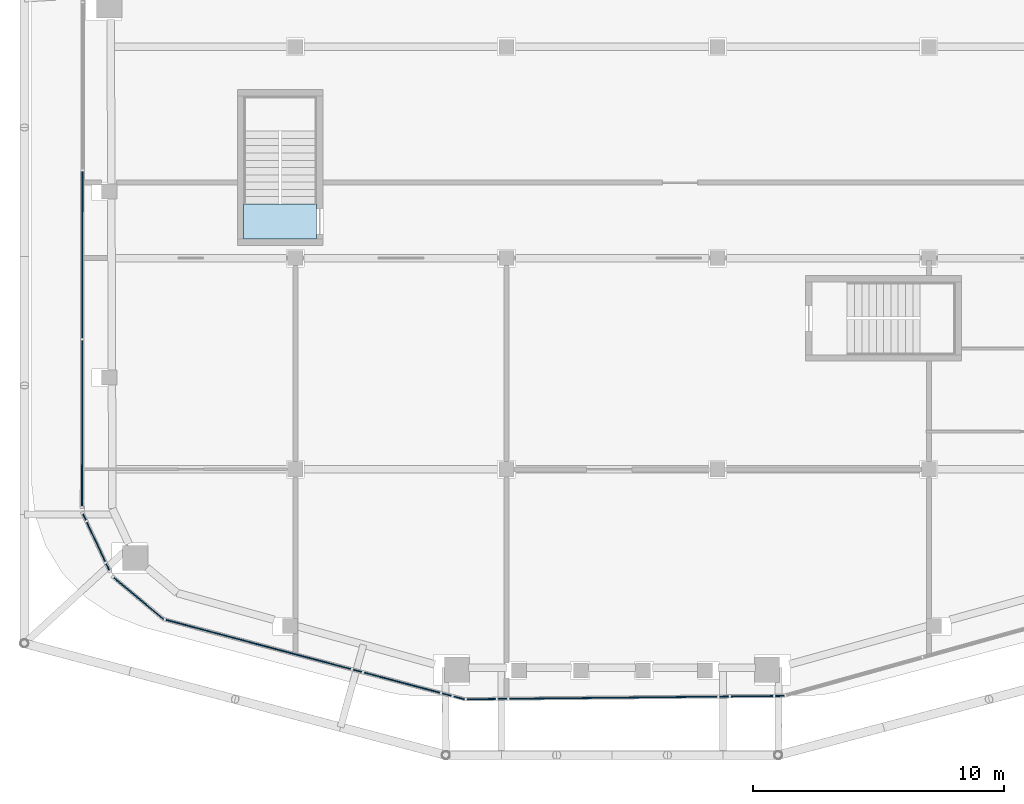
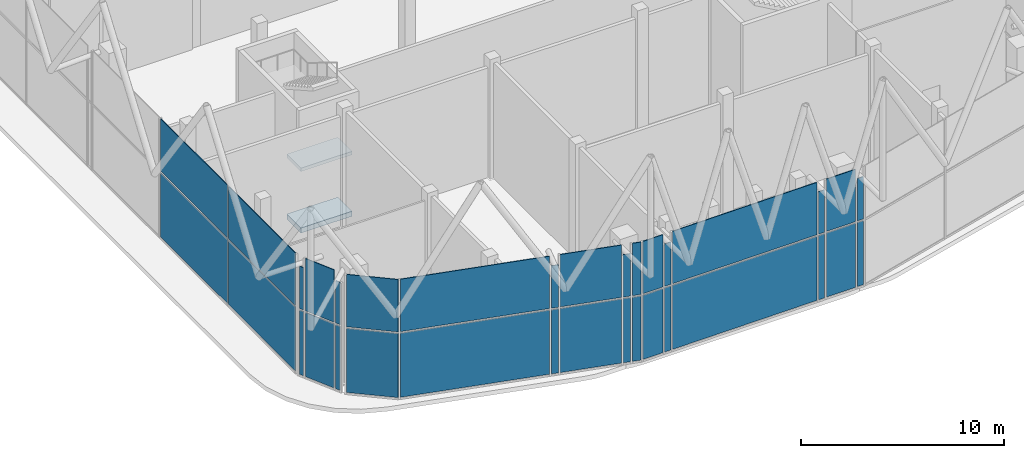
# One storey, part 12 of 25: 34 plates, 2 slabs, 17 elements without a shape of their own.
"""IFC4 building model written with IfcOpenShell, lengths in metres."""

from ifc_helpers import new_model, si_unit, direction, frame, origin, origin_2d, place, context, subcontext, project, spatial, polyline, rectangle, outline, extrude, material, layer, layer_set, type_object, element, aggregate, save


model = new_model("IFC4")

# Units and contexts
model_context = context("Model", 3, precision=1e-05, world=origin(), true_north=direction((0.0, 1.0)))
body_context = subcontext(model_context, "Body", "Model", "MODEL_VIEW")
ifc_project = project(units=[si_unit("LENGTHUNIT", "METRE"), si_unit("AREAUNIT", "SQUARE_METRE"), si_unit("VOLUMEUNIT", "CUBIC_METRE"), si_unit("PLANEANGLEUNIT", "RADIAN"), si_unit("MASSUNIT", "GRAM", prefix="KILO")], contexts=[model_context])

# Site, building, storey
site_placement = place(None, origin())
site = spatial("IfcSite", under=ifc_project, at=site_placement, CompositionType="ELEMENT")
building_placement = place(site_placement, origin())
building = spatial("IfcBuilding", under=site, at=building_placement, Name="Marenta Gate Hotel Tower", CompositionType="ELEMENT")
storey_placement = place(building_placement, frame((0.0, 0.0, 281.300048828125)))
storey = spatial("IfcBuildingStorey", under=building, at=storey_placement, Name="L65", CompositionType="ELEMENT", Elevation=281.300048828125)

# Curtain wall, plates
ifc_material_1 = material(Name="Tinted insulated glass in bronze anodised frame", Category="glass")
ifc_layer_1 = layer(ifc_material_1, 0.139892578125)
ifc_layer_set_1 = layer_set([ifc_layer_1], Name="Tinted insulated glass in bronze anodised frame")
curtain_wall_type = type_object("IfcCurtainWallType", Name="Observation deck structural glazing CW3", PredefinedType="NOTDEFINED", material=ifc_layer_set_1)
curtain_wall_1_placement = place(storey_placement, origin())
curtain_wall_1 = element("IfcCurtainWall", 1, at=curtain_wall_1_placement, inside=storey, type_object=curtain_wall_type, Name="CW3 run G09", PredefinedType="NOTDEFINED")
ifc_material_2 = material(Name="Tinted insulated glass", Category="glass")
ifc_layer_2 = layer(ifc_material_2, 0.0439453125)
ifc_layer_set_2 = layer_set([ifc_layer_2], Name="Tinted insulated glass")
plate_type = type_object("IfcPlateType", Name="Glass panel CW3 44 mm tinted insulated unit", PredefinedType="CURTAIN_PANEL", material=ifc_layer_set_2)
plate_1_placement = place(storey_placement, frame((-21.06689453125, -16.67236328125, 0.099853515625), z_axis=(0.0, 0.0, 1.0), x_axis=(-0.001565121588, -0.999998775196, 0.0)))
plate_1 = element("IfcPlate", 2, at=plate_1_placement, type_object=plate_type, Name="CW3 panel 2.1", PredefinedType="CURTAIN_PANEL", context=body_context, shape_type="SweptSolid", body=[
    extrude(rectangle(XDim=6.630126953125, YDim=0.0439453125, at=origin_2d()), origin(), (0.0, 0.0, 1.0), 3.85009765625),
])
plate_2_placement = place(storey_placement, frame((-21.06689453125, -16.67236328125, 4.050048828125), z_axis=(0.0, 0.0, 1.0), x_axis=(-0.001565121588, -0.999998775196, 0.0)))
plate_2 = element("IfcPlate", 3, at=plate_2_placement, type_object=plate_type, Name="CW3 panel 2.2", PredefinedType="CURTAIN_PANEL", context=body_context, shape_type="SweptSolid", body=[
    extrude(rectangle(XDim=6.630126953125, YDim=0.0439453125, at=origin_2d()), origin(), (0.0, 0.0, 1.0), 3.14990234375),
])
plate_3_placement = place(storey_placement, frame((-21.077392578125, -23.377197265625, 0.099853515625), z_axis=(0.0, 0.0, 1.0), x_axis=(-0.001565121588, -0.999998775196, 0.0)))
plate_3 = element("IfcPlate", 4, at=plate_3_placement, type_object=plate_type, Name="CW3 panel 3.1", PredefinedType="CURTAIN_PANEL", context=body_context, shape_type="SweptSolid", body=[
    extrude(rectangle(XDim=6.580078125, YDim=0.0439453125, at=origin_2d()), origin(), (0.0, 0.0, 1.0), 3.85009765625),
])
plate_4_placement = place(storey_placement, frame((-21.077392578125, -23.377197265625, 4.050048828125), z_axis=(0.0, 0.0, 1.0), x_axis=(-0.001565121588, -0.999998775196, 0.0)))
plate_4 = element("IfcPlate", 5, at=plate_4_placement, type_object=plate_type, Name="CW3 panel 3.2", PredefinedType="CURTAIN_PANEL", context=body_context, shape_type="SweptSolid", body=[
    extrude(rectangle(XDim=6.580078125, YDim=0.0439453125, at=origin_2d()), origin(), (0.0, 0.0, 1.0), 3.14990234375),
])
aggregate(curtain_wall_1, [plate_1, plate_2, plate_3, plate_4])

curtain_wall_2_placement = place(storey_placement, origin())
curtain_wall_2 = element("IfcCurtainWall", 6, at=curtain_wall_2_placement, inside=storey, type_object=curtain_wall_type, Name="CW3 run G10", PredefinedType="NOTDEFINED")
plate_5_placement = place(storey_placement, frame((-20.986083984375, -27.103515625, 0.099853515625), z_axis=(0.0, 0.0, 1.0), x_axis=(0.423252492136, -0.906011770288, 0.0)))
plate_5 = element("IfcPlate", 7, at=plate_5_placement, type_object=plate_type, Name="CW3 panel 1.1", PredefinedType="CURTAIN_PANEL", context=body_context, shape_type="SweptSolid", body=[
    extrude(rectangle(XDim=0.2578125, YDim=0.0439453125, at=origin_2d()), origin(), (0.0, 0.0, 1.0), 3.85009765625),
])
plate_6_placement = place(storey_placement, frame((-20.986083984375, -27.103515625, 4.0498046875), z_axis=(0.0, 0.0, 1.0), x_axis=(0.423252492136, -0.906011770288, 0.0)))
plate_6 = element("IfcPlate", 8, at=plate_6_placement, type_object=plate_type, Name="CW3 panel 1.2", PredefinedType="CURTAIN_PANEL", context=body_context, shape_type="SweptSolid", body=[
    extrude(rectangle(XDim=0.2578125, YDim=0.0439453125, at=origin_2d()), origin(), (0.0, 0.0, 1.0), 2.550537109375),
])
aggregate(curtain_wall_2, [plate_5, plate_6])

curtain_wall_3_placement = place(storey_placement, origin())
curtain_wall_3 = element("IfcCurtainWall", 9, at=curtain_wall_3_placement, inside=storey, type_object=curtain_wall_type, Name="CW3 run G11", PredefinedType="NOTDEFINED")
plate_7_placement = place(storey_placement, frame((-20.525146484375, -28.08984375, 0.099853515625), z_axis=(0.0, 0.0, 1.0), x_axis=(0.423360733713, -0.905961196272, 0.0)))
plate_7 = element("IfcPlate", 10, at=plate_7_placement, type_object=plate_type, Name="CW3 panel 1.1", PredefinedType="CURTAIN_PANEL", context=body_context, shape_type="SweptSolid", body=[
    extrude(rectangle(XDim=1.7197265625, YDim=0.0439453125, at=origin_2d()), origin(), (0.0, 0.0, 1.0), 3.85009765625),
])
plate_8_placement = place(storey_placement, frame((-20.525146484375, -28.08984375, 4.050048828125), z_axis=(0.0, 0.0, 1.0), x_axis=(0.423360733713, -0.905961196272, 0.0)))
plate_8 = element("IfcPlate", 11, at=plate_8_placement, type_object=plate_type, Name="CW3 panel 1.2", PredefinedType="CURTAIN_PANEL", context=body_context, shape_type="SweptSolid", body=[
    extrude(rectangle(XDim=1.7197265625, YDim=0.0439453125, at=origin_2d()), origin(), (0.0, 0.0, 1.0), 3.14990234375),
])
aggregate(curtain_wall_3, [plate_7, plate_8])

curtain_wall_4_placement = place(storey_placement, origin())
curtain_wall_4 = element("IfcCurtainWall", 12, at=curtain_wall_4_placement, inside=storey, type_object=curtain_wall_type, Name="CW3 run G12", PredefinedType="NOTDEFINED")
plate_9_placement = place(storey_placement, frame((-20.060546875, -29.083984375, 0.099853515625), z_axis=(0.0, 0.0, 1.0), x_axis=(0.423392535174, -0.905946334591, 0.0)))
plate_9 = element("IfcPlate", 13, at=plate_9_placement, type_object=plate_type, Name="CW3 panel 1.1", PredefinedType="CURTAIN_PANEL", context=body_context, shape_type="SweptSolid", body=[
    extrude(rectangle(XDim=0.27490234375, YDim=0.0439453125, at=origin_2d()), origin(), (0.0, 0.0, 1.0), 3.85009765625),
])
plate_10_placement = place(storey_placement, frame((-20.060546875, -29.083984375, 4.0498046875), z_axis=(0.0, 0.0, 1.0), x_axis=(0.423392535174, -0.905946334591, 0.0)))
plate_10 = element("IfcPlate", 14, at=plate_10_placement, type_object=plate_type, Name="CW3 panel 1.2", PredefinedType="CURTAIN_PANEL", context=body_context, shape_type="SweptSolid", body=[
    extrude(rectangle(XDim=0.27490234375, YDim=0.0439453125, at=origin_2d()), origin(), (0.0, 0.0, 1.0), 2.550537109375),
])
aggregate(curtain_wall_4, [plate_9, plate_10])

curtain_wall_5_placement = place(storey_placement, origin())
curtain_wall_5 = element("IfcCurtainWall", 15, at=curtain_wall_5_placement, inside=storey, type_object=curtain_wall_type, Name="CW3 run G13", PredefinedType="NOTDEFINED")
plate_11_placement = place(storey_placement, frame((-18.8271484375, -30.336669921875, 0.099853515625), z_axis=(0.0, 0.0, 1.0), x_axis=(0.767110334998, -0.641515186055, 0.0)))
plate_11 = element("IfcPlate", 16, at=plate_11_placement, type_object=plate_type, Name="CW3 panel 1.1", PredefinedType="CURTAIN_PANEL", context=body_context, shape_type="SweptSolid", body=[
    extrude(rectangle(XDim=2.57373046875, YDim=0.0439453125, at=origin_2d()), origin(), (0.0, 0.0, 1.0), 3.85009765625),
])
plate_12_placement = place(storey_placement, frame((-18.8271484375, -30.336669921875, 4.050048828125), z_axis=(0.0, 0.0, 1.0), x_axis=(0.767110334998, -0.641515186055, 0.0)))
plate_12 = element("IfcPlate", 17, at=plate_12_placement, type_object=plate_type, Name="CW3 panel 1.2", PredefinedType="CURTAIN_PANEL", context=body_context, shape_type="SweptSolid", body=[
    extrude(rectangle(XDim=2.57373046875, YDim=0.0439453125, at=origin_2d()), origin(), (0.0, 0.0, 1.0), 3.14990234375),
])
aggregate(curtain_wall_5, [plate_11, plate_12])

curtain_wall_6_placement = place(storey_placement, origin())
curtain_wall_6 = element("IfcCurtainWall", 18, at=curtain_wall_6_placement, inside=storey, type_object=curtain_wall_type, Name="CW3 run G14", PredefinedType="NOTDEFINED")
plate_13_placement = place(storey_placement, frame((-14.06787109375, -32.165771484375, 0.099853515625), z_axis=(0.0, 0.0, 1.0), x_axis=(0.966374568352, -0.257138471728, 0.0)))
plate_13 = element("IfcPlate", 19, at=plate_13_placement, type_object=plate_type, Name="CW3 panel 1.1", PredefinedType="CURTAIN_PANEL", context=body_context, shape_type="SweptSolid", body=[
    extrude(rectangle(XDim=7.606689453125, YDim=0.0439453125, at=origin_2d()), origin(), (0.0, 0.0, 1.0), 3.85009765625),
])
plate_14_placement = place(storey_placement, frame((-14.06787109375, -32.165771484375, 4.050048828125), z_axis=(0.0, 0.0, 1.0), x_axis=(0.966374568352, -0.257138471728, 0.0)))
plate_14 = element("IfcPlate", 20, at=plate_14_placement, type_object=plate_type, Name="CW3 panel 1.2", PredefinedType="CURTAIN_PANEL", context=body_context, shape_type="SweptSolid", body=[
    extrude(rectangle(XDim=7.606689453125, YDim=0.0439453125, at=origin_2d()), origin(), (0.0, 0.0, 1.0), 3.14990234375),
])
aggregate(curtain_wall_6, [plate_13, plate_14])

curtain_wall_7_placement = place(storey_placement, origin())
curtain_wall_7 = element("IfcCurtainWall", 21, at=curtain_wall_7_placement, inside=storey, type_object=curtain_wall_type, Name="CW3 run G15", PredefinedType="NOTDEFINED")
plate_15_placement = place(storey_placement, frame((-10.125244140625, -33.21484375, 0.099853515625), z_axis=(0.0, 0.0, 1.0), x_axis=(0.966370359942, -0.257154287199, 0.0)))
plate_15 = element("IfcPlate", 22, at=plate_15_placement, type_object=plate_type, Name="CW3 panel 1.1", PredefinedType="CURTAIN_PANEL", context=body_context, shape_type="SweptSolid", body=[
    extrude(rectangle(XDim=0.35302734375, YDim=0.0439453125, at=origin_2d()), origin(), (0.0, 0.0, 1.0), 3.85009765625),
])
plate_16_placement = place(storey_placement, frame((-10.125244140625, -33.21484375, 4.0498046875), z_axis=(0.0, 0.0, 1.0), x_axis=(0.966370359942, -0.257154287199, 0.0)))
plate_16 = element("IfcPlate", 23, at=plate_16_placement, type_object=plate_type, Name="CW3 panel 1.2", PredefinedType="CURTAIN_PANEL", context=body_context, shape_type="SweptSolid", body=[
    extrude(rectangle(XDim=0.35302734375, YDim=0.0439453125, at=origin_2d()), origin(), (0.0, 0.0, 1.0), 2.550537109375),
])
aggregate(curtain_wall_7, [plate_15, plate_16])

curtain_wall_8_placement = place(storey_placement, origin())
curtain_wall_8 = element("IfcCurtainWall", 24, at=curtain_wall_8_placement, inside=storey, type_object=curtain_wall_type, Name="CW3 run G16", PredefinedType="NOTDEFINED")
plate_17_placement = place(storey_placement, frame((-8.353515625, -33.686279296875, 0.099853515625), z_axis=(0.0, 0.0, 1.0), x_axis=(0.966375266205, -0.25713584905, 0.0)))
plate_17 = element("IfcPlate", 25, at=plate_17_placement, type_object=plate_type, Name="CW3 panel 1.1", PredefinedType="CURTAIN_PANEL", context=body_context, shape_type="SweptSolid", body=[
    extrude(rectangle(XDim=3.114013671875, YDim=0.0439453125, at=origin_2d()), origin(), (0.0, 0.0, 1.0), 3.85009765625),
])
plate_18_placement = place(storey_placement, frame((-8.353515625, -33.686279296875, 4.050048828125), z_axis=(0.0, 0.0, 1.0), x_axis=(0.966375266205, -0.25713584905, 0.0)))
plate_18 = element("IfcPlate", 26, at=plate_18_placement, type_object=plate_type, Name="CW3 panel 1.2", PredefinedType="CURTAIN_PANEL", context=body_context, shape_type="SweptSolid", body=[
    extrude(rectangle(XDim=3.114013671875, YDim=0.0439453125, at=origin_2d()), origin(), (0.0, 0.0, 1.0), 3.14990234375),
])
aggregate(curtain_wall_8, [plate_17, plate_18])

curtain_wall_9_placement = place(storey_placement, origin())
curtain_wall_9 = element("IfcCurtainWall", 27, at=curtain_wall_9_placement, inside=storey, type_object=curtain_wall_type, Name="CW3 run G17", PredefinedType="NOTDEFINED")
plate_19_placement = place(storey_placement, frame((-6.57373046875, -34.159912109375, 0.099853515625), z_axis=(0.0, 0.0, 1.0), x_axis=(0.966319746998, -0.25734441234, 0.0)))
plate_19 = element("IfcPlate", 28, at=plate_19_placement, type_object=plate_type, Name="CW3 panel 1.1", PredefinedType="CURTAIN_PANEL", context=body_context, shape_type="SweptSolid", body=[
    extrude(rectangle(XDim=0.369384765625, YDim=0.0439453125, at=origin_2d()), origin(), (0.0, 0.0, 1.0), 3.85009765625),
])
plate_20_placement = place(storey_placement, frame((-6.57373046875, -34.159912109375, 4.0498046875), z_axis=(0.0, 0.0, 1.0), x_axis=(0.966319746998, -0.25734441234, 0.0)))
plate_20 = element("IfcPlate", 29, at=plate_20_placement, type_object=plate_type, Name="CW3 panel 1.2", PredefinedType="CURTAIN_PANEL", context=body_context, shape_type="SweptSolid", body=[
    extrude(rectangle(XDim=0.369384765625, YDim=0.0439453125, at=origin_2d()), origin(), (0.0, 0.0, 1.0), 2.550537109375),
])
aggregate(curtain_wall_9, [plate_19, plate_20])

curtain_wall_10_placement = place(storey_placement, origin())
curtain_wall_10 = element("IfcCurtainWall", 30, at=curtain_wall_10_placement, inside=storey, type_object=curtain_wall_type, Name="CW3 run G18", PredefinedType="NOTDEFINED")
plate_21_placement = place(storey_placement, frame((-6.0830078125, -34.29052734375, 0.099853515625), z_axis=(0.0, 0.0, 1.0), x_axis=(0.966414076961, -0.256989945038, 0.0)))
plate_21 = element("IfcPlate", 31, at=plate_21_placement, type_object=plate_type, Name="CW3 panel 1.1", PredefinedType="CURTAIN_PANEL", context=body_context, shape_type="SweptSolid", body=[
    extrude(rectangle(XDim=0.44580078125, YDim=0.0439453125, at=origin_2d()), origin(), (0.0, 0.0, 1.0), 3.85009765625),
])
plate_22_placement = place(storey_placement, frame((-6.0830078125, -34.29052734375, 4.050048828125), z_axis=(0.0, 0.0, 1.0), x_axis=(0.966414076961, -0.256989945038, 0.0)))
plate_22 = element("IfcPlate", 32, at=plate_22_placement, type_object=plate_type, Name="CW3 panel 1.2", PredefinedType="CURTAIN_PANEL", context=body_context, shape_type="SweptSolid", body=[
    extrude(rectangle(XDim=0.44580078125, YDim=0.0439453125, at=origin_2d()), origin(), (0.0, 0.0, 1.0), 3.14990234375),
])
aggregate(curtain_wall_10, [plate_21, plate_22])

curtain_wall_11_placement = place(storey_placement, origin())
curtain_wall_11 = element("IfcCurtainWall", 33, at=curtain_wall_11_placement, inside=storey, type_object=curtain_wall_type, Name="CW3 run G19", PredefinedType="NOTDEFINED")
plate_23_placement = place(storey_placement, frame((-5.2001953125, -34.3408203125, 0.099853515625), z_axis=(0.0, 0.0, 1.0), x_axis=(0.999943756581, 0.010605832095, 0.0)))
plate_23 = element("IfcPlate", 34, at=plate_23_placement, type_object=plate_type, Name="CW3 panel 1.1", PredefinedType="CURTAIN_PANEL", context=body_context, shape_type="SweptSolid", body=[
    extrude(rectangle(XDim=1.13525390625, YDim=0.0439453125, at=origin_2d()), origin(), (0.0, 0.0, 1.0), 3.85009765625),
])
plate_24_placement = place(storey_placement, frame((-5.2001953125, -34.3408203125, 4.050048828125), z_axis=(0.0, 0.0, 1.0), x_axis=(0.999943756581, 0.010605832095, 0.0)))
plate_24 = element("IfcPlate", 35, at=plate_24_placement, type_object=plate_type, Name="CW3 panel 1.2", PredefinedType="CURTAIN_PANEL", context=body_context, shape_type="SweptSolid", body=[
    extrude(rectangle(XDim=1.13525390625, YDim=0.0439453125, at=origin_2d()), origin(), (0.0, 0.0, 1.0), 3.14990234375),
])
aggregate(curtain_wall_11, [plate_23, plate_24])

curtain_wall_12_placement = place(storey_placement, origin())
curtain_wall_12 = element("IfcCurtainWall", 36, at=curtain_wall_12_placement, inside=storey, type_object=curtain_wall_type, Name="CW3 run G20", PredefinedType="NOTDEFINED")
plate_25_placement = place(storey_placement, frame((-4.35595703125, -34.331787109375, 0.099853515625), z_axis=(0.0, 0.0, 1.0), x_axis=(0.999943866838, 0.010595431704, 0.0)))
plate_25 = element("IfcPlate", 37, at=plate_25_placement, type_object=plate_type, Name="CW3 panel 1.1", PredefinedType="CURTAIN_PANEL", context=body_context, shape_type="SweptSolid", body=[
    extrude(rectangle(XDim=0.35302734375, YDim=0.0439453125, at=origin_2d()), origin(), (0.0, 0.0, 1.0), 3.85009765625),
])
plate_26_placement = place(storey_placement, frame((-4.35595703125, -34.331787109375, 4.0498046875), z_axis=(0.0, 0.0, 1.0), x_axis=(0.999943866838, 0.010595431704, 0.0)))
plate_26 = element("IfcPlate", 38, at=plate_26_placement, type_object=plate_type, Name="CW3 panel 1.2", PredefinedType="CURTAIN_PANEL", context=body_context, shape_type="SweptSolid", body=[
    extrude(rectangle(XDim=0.35302734375, YDim=0.0439453125, at=origin_2d()), origin(), (0.0, 0.0, 1.0), 2.550537109375),
])
aggregate(curtain_wall_12, [plate_25, plate_26])

curtain_wall_13_placement = place(storey_placement, origin())
curtain_wall_13 = element("IfcCurtainWall", 39, at=curtain_wall_13_placement, inside=storey, type_object=curtain_wall_type, Name="CW3 run G21", PredefinedType="NOTDEFINED")
plate_27_placement = place(storey_placement, frame((0.050048828125, -34.284912109375, 0.099853515625), z_axis=(0.0, 0.0, 1.0), x_axis=(0.999943450595, 0.010634642034, 0.0)))
plate_27 = element("IfcPlate", 40, at=plate_27_placement, type_object=plate_type, Name="CW3 panel 1.1", PredefinedType="CURTAIN_PANEL", context=body_context, shape_type="SweptSolid", body=[
    extrude(rectangle(XDim=8.259521484375, YDim=0.0439453125, at=origin_2d()), origin(), (0.0, 0.0, 1.0), 3.85009765625),
])
plate_28_placement = place(storey_placement, frame((0.050048828125, -34.284912109375, 4.050048828125), z_axis=(0.0, 0.0, 1.0), x_axis=(0.999943450595, 0.010634642034, 0.0)))
plate_28 = element("IfcPlate", 41, at=plate_28_placement, type_object=plate_type, Name="CW3 panel 1.2", PredefinedType="CURTAIN_PANEL", context=body_context, shape_type="SweptSolid", body=[
    extrude(rectangle(XDim=8.259521484375, YDim=0.0439453125, at=origin_2d()), origin(), (0.0, 0.0, 1.0), 3.14990234375),
])
aggregate(curtain_wall_13, [plate_27, plate_28])

curtain_wall_14_placement = place(storey_placement, origin())
curtain_wall_14 = element("IfcCurtainWall", 42, at=curtain_wall_14_placement, inside=storey, type_object=curtain_wall_type, Name="CW3 run G22", PredefinedType="NOTDEFINED")
plate_29_placement = place(storey_placement, frame((4.4560546875, -34.238037109375, 0.099853515625), z_axis=(0.0, 0.0, 1.0), x_axis=(0.999943866838, 0.010595431704, 0.0)))
plate_29 = element("IfcPlate", 43, at=plate_29_placement, type_object=plate_type, Name="CW3 panel 1.1", PredefinedType="CURTAIN_PANEL", context=body_context, shape_type="SweptSolid", body=[
    extrude(rectangle(XDim=0.35302734375, YDim=0.0439453125, at=origin_2d()), origin(), (0.0, 0.0, 1.0), 3.85009765625),
])
plate_30_placement = place(storey_placement, frame((4.4560546875, -34.238037109375, 4.0498046875), z_axis=(0.0, 0.0, 1.0), x_axis=(0.999943866838, 0.010595431704, 0.0)))
plate_30 = element("IfcPlate", 44, at=plate_30_placement, type_object=plate_type, Name="CW3 panel 1.2", PredefinedType="CURTAIN_PANEL", context=body_context, shape_type="SweptSolid", body=[
    extrude(rectangle(XDim=0.35302734375, YDim=0.0439453125, at=origin_2d()), origin(), (0.0, 0.0, 1.0), 2.550537109375),
])
aggregate(curtain_wall_14, [plate_29, plate_30])

curtain_wall_15_placement = place(storey_placement, origin())
curtain_wall_15 = element("IfcCurtainWall", 45, at=curtain_wall_15_placement, inside=storey, type_object=curtain_wall_type, Name="CW3 run G23", PredefinedType="NOTDEFINED")
plate_31_placement = place(storey_placement, frame((5.563720703125, -34.226318359375, 0.099853515625), z_axis=(0.0, 0.0, 1.0), x_axis=(0.999943122419, 0.010665454842, 0.0)))
plate_31 = element("IfcPlate", 46, at=plate_31_placement, type_object=plate_type, Name="CW3 panel 1.1", PredefinedType="CURTAIN_PANEL", context=body_context, shape_type="SweptSolid", body=[
    extrude(rectangle(XDim=1.66259765625, YDim=0.0439453125, at=origin_2d()), origin(), (0.0, 0.0, 1.0), 3.85009765625),
])
plate_32_placement = place(storey_placement, frame((5.563720703125, -34.226318359375, 4.050048828125), z_axis=(0.0, 0.0, 1.0), x_axis=(0.999943122419, 0.010665454842, 0.0)))
plate_32 = element("IfcPlate", 47, at=plate_32_placement, type_object=plate_type, Name="CW3 panel 1.2", PredefinedType="CURTAIN_PANEL", context=body_context, shape_type="SweptSolid", body=[
    extrude(rectangle(XDim=1.66259765625, YDim=0.0439453125, at=origin_2d()), origin(), (0.0, 0.0, 1.0), 3.14990234375),
])
aggregate(curtain_wall_15, [plate_31, plate_32])

curtain_wall_16_placement = place(storey_placement, origin())
curtain_wall_16 = element("IfcCurtainWall", 48, at=curtain_wall_16_placement, inside=storey, type_object=curtain_wall_type, Name="CW3 run G24", PredefinedType="NOTDEFINED")
plate_33_placement = place(storey_placement, frame((6.671875, -34.214599609375, 0.099853515625), z_axis=(0.0, 0.0, 1.0), x_axis=(0.999943851017, 0.010596924697, 0.0)))
plate_33 = element("IfcPlate", 49, at=plate_33_placement, type_object=plate_type, Name="CW3 panel 1.1", PredefinedType="CURTAIN_PANEL", context=body_context, shape_type="SweptSolid", body=[
    extrude(rectangle(XDim=0.353515625, YDim=0.0439453125, at=origin_2d()), origin(), (0.0, 0.0, 1.0), 3.85009765625),
])
plate_34_placement = place(storey_placement, frame((6.671875, -34.214599609375, 4.0498046875), z_axis=(0.0, 0.0, 1.0), x_axis=(0.999943851017, 0.010596924697, 0.0)))
plate_34 = element("IfcPlate", 50, at=plate_34_placement, type_object=plate_type, Name="CW3 panel 1.2", PredefinedType="CURTAIN_PANEL", context=body_context, shape_type="SweptSolid", body=[
    extrude(rectangle(XDim=0.353515625, YDim=0.0439453125, at=origin_2d()), origin(), (0.0, 0.0, 1.0), 2.550537109375),
])
aggregate(curtain_wall_16, [plate_33, plate_34])

# Stair, slab
ifc_material_3 = material(Name="Concrete C40", Category="concrete")
stair_type = type_object("IfcStairType", Name="Remote exit stair 1400 wide", PredefinedType="HALF_TURN_STAIR", material=ifc_material_3)
stair_placement = place(storey_placement, origin())
stair = element("IfcStair", 51, at=stair_placement, inside=storey, type_object=stair_type, Name="Exit stair RS-Z4-2", PredefinedType="HALF_TURN_STAIR")
ifc_material_4 = material(Name="Concrete C40", Category="concrete")
ifc_layer_3 = layer(ifc_material_4, 0.199951171875)
ifc_layer_set_3 = layer_set([ifc_layer_3], Name="Concrete C40")
slab_type_1 = type_object("IfcSlabType", Name="Remote stair landing 200", PredefinedType="LANDING", material=ifc_layer_set_3)
slab_1_placement = place(storey_placement, frame((0.0, 0.0, 3.39990234375)))
slab_1 = element("IfcSlab", 52, at=slab_1_placement, type_object=slab_type_1, Name="RL-200 RS-Z4-2 landing 2", PredefinedType="LANDING", context=body_context, shape_type="SweptSolid", body=[
    extrude(outline(polyline([(-14.64990234375, -16.050048828125), (-11.75, -16.050048828125), (-11.75, -14.64990234375), (-14.64990234375, -14.64990234375), (-14.64990234375, -16.050048828125)])), origin(), (0.0, 0.0, 1.0), 0.199951171875),
])
aggregate(stair, [slab_1])

# Slab
ifc_material_5 = material(Name="Concrete C40", Category="concrete")
ifc_layer_4 = layer(ifc_material_5, 0.300048828125)
ifc_layer_set_4 = layer_set([ifc_layer_4], Name="Concrete C40")
slab_type_2 = type_object("IfcSlabType", Name="Stair floor landing slab 300", PredefinedType="FLOOR", material=ifc_layer_set_4)
slab_2_placement = place(storey_placement, frame((0.0, 0.0, -0.300048828125)))
element("IfcSlab", 53, at=slab_2_placement, inside=storey, type_object=slab_type_2, Name="L65-RS-Z4-2-CL", PredefinedType="FLOOR", context=body_context, shape_type="SweptSolid", body=[
    extrude(outline(polyline([(-11.75, -16.050048828125), (-11.75, -14.64990234375), (-14.64990234375, -14.64990234375), (-14.64990234375, -16.050048828125), (-11.75, -16.050048828125)])), origin(), (0.0, 0.0, 1.0), 0.300048828125),
])

save(model, "model.ifc")
